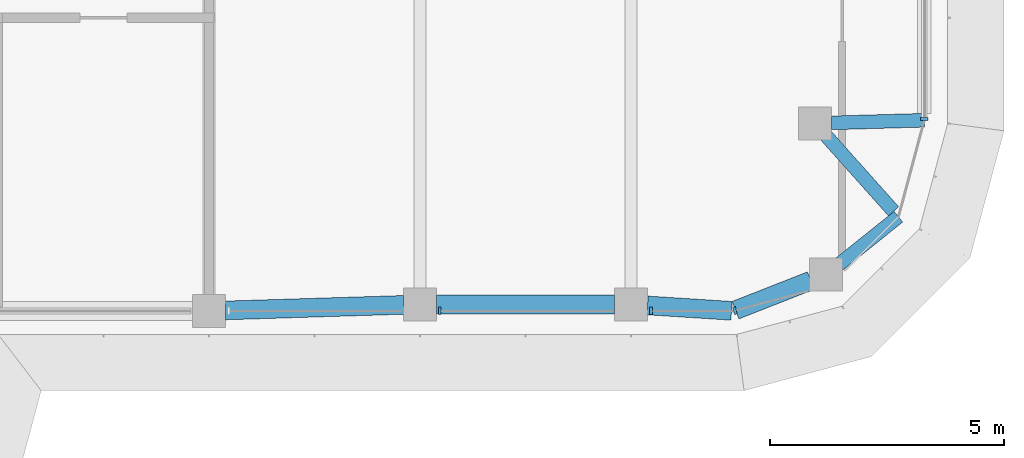
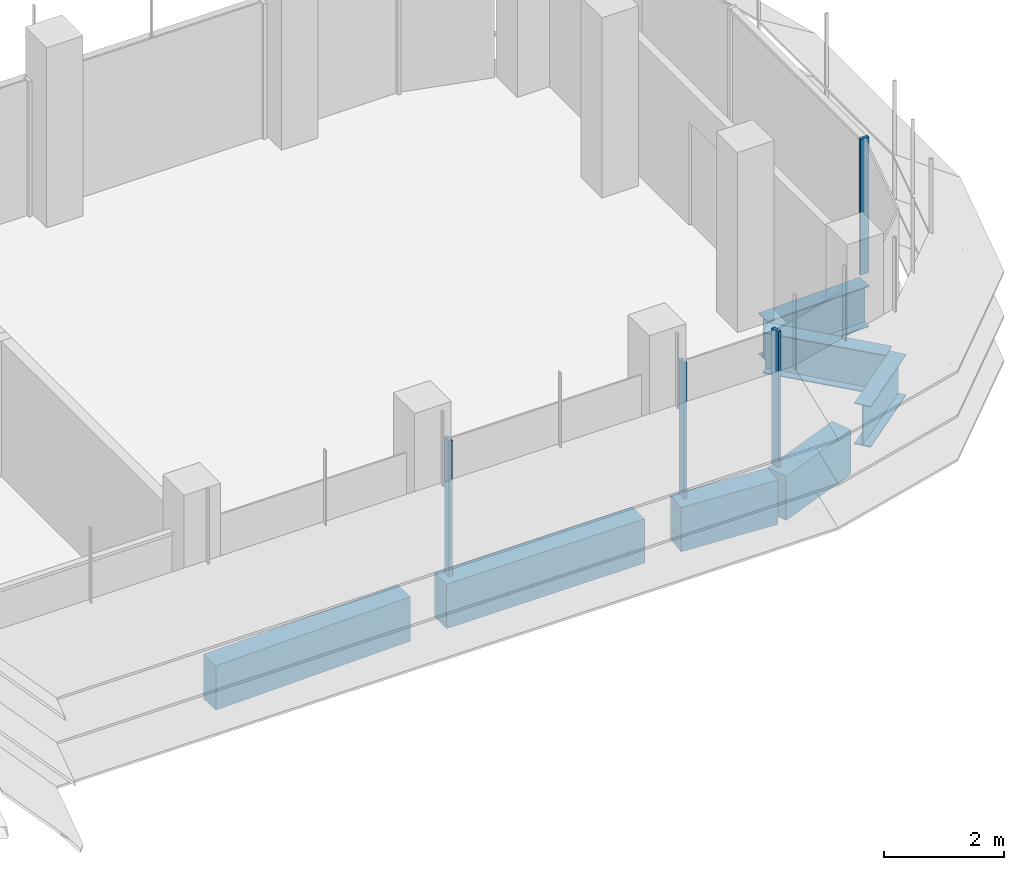
# One storey, part 5 of 18: 7 beams, 4 members, 3 elements without a shape of their own.
"""IFC4 building model written with IfcOpenShell, lengths in metres."""

import ifcopenshell
import ifcopenshell.guid

model = None  # the IFC model being written
_history = None  # IfcOwnerHistory: only IFC2X3 demands one
_inside = {}  # id of a spatial element -> (the spatial element, [elements in it])
_under = {}  # id of a project, library or spatial element -> (it, [spatial elements below it])
_declared = {}  # id of a project -> (the project, [libraries it declares])
_typed = {}  # id of a type object -> (the type object, [elements of that type])
_made_of = {}  # id of a material, layer set ... -> (it, [elements and type objects made of it])


def new_model(schema):
    """Start an empty IFC model of exactly this schema.

    Asked for "IFC4X3", IfcOpenShell would pick the latest addendum, in which some entities
    have other attributes; the version numbers below select the first issue.
    IFC2X3 requires an IfcOwnerHistory on every rooted entity: one is made here for all.
    """
    global model, _history
    if schema == "IFC4X3":
        model = ifcopenshell.file(schema_version=(4, 3, 0, 0))
    else:
        model = ifcopenshell.file(schema=schema)
    _inside.clear()
    _under.clear()
    _declared.clear()
    _typed.clear()
    _made_of.clear()
    _history = None
    if model.schema == "IFC2X3":
        org = make("IfcOrganization", Name="unknown")
        user = make(
            "IfcPersonAndOrganization",
            ThePerson=make("IfcPerson", FamilyName="unknown"),
            TheOrganization=org,
        )
        app = make(
            "IfcApplication",
            ApplicationDeveloper=org,
            Version="unknown",
            ApplicationFullName="unknown",
            ApplicationIdentifier="unknown",
        )
        _history = make(
            "IfcOwnerHistory",
            OwningUser=user,
            OwningApplication=app,
            ChangeAction="ADDED",
            CreationDate=0,
        )
    return model


def make(cls, **values):
    """One entity of the class cls with the attributes given. An attribute that is None is left unset."""
    return model.create_entity(
        cls, **{name: value for name, value in values.items() if value is not None}
    )


def rooted(cls, **values):
    """An entity with a GlobalId (a new one), such as an element, a storey or a relation."""
    return make(cls, GlobalId=ifcopenshell.guid.new(), OwnerHistory=_history, **values)


def si_unit(unit_type, name, prefix=None):
    """IfcSIUnit, for example si_unit("LENGTHUNIT", "METRE", prefix="MILLI")."""
    return make("IfcSIUnit", UnitType=unit_type, Prefix=prefix, Name=name)


def assignment(units):
    """IfcUnitAssignment: the units of a project."""
    return None if units is None else make("IfcUnitAssignment", Units=units)


def point(xyz):
    """IfcCartesianPoint."""
    return None if xyz is None else make("IfcCartesianPoint", Coordinates=xyz)


def direction(xyz):
    """IfcDirection."""
    return None if xyz is None else make("IfcDirection", DirectionRatios=xyz)


def frame(location, z_axis=None, x_axis=None):
    """IfcAxis2Placement3D, a coordinate frame: its origin and axes. An axis left out is left unset."""
    return make(
        "IfcAxis2Placement3D",
        Location=point(location),
        Axis=direction(z_axis),
        RefDirection=direction(x_axis),
    )


def frame_2d(location, x_axis=None):
    """IfcAxis2Placement2D, a coordinate frame in the plane: its origin and x axis."""
    return make(
        "IfcAxis2Placement2D", Location=point(location), RefDirection=direction(x_axis)
    )


def origin():
    """The frame at (0, 0, 0) with its axes left unset."""
    return frame((0.0, 0.0, 0.0))


def origin_2d():
    """The frame at (0, 0) in the plane with its x axis left unset."""
    return frame_2d((0.0, 0.0))


def place(relative_to, where):
    """IfcLocalPlacement: puts the frame where relative to a parent placement (None: the world)."""
    return make(
        "IfcLocalPlacement", PlacementRelTo=relative_to, RelativePlacement=where
    )


def context(
    kind, dimensions, precision=None, world=None, true_north=None, identifier=None
):
    """IfcGeometricRepresentationContext, for example the 3D "Model" context."""
    return make(
        "IfcGeometricRepresentationContext",
        ContextIdentifier=identifier,
        ContextType=kind,
        CoordinateSpaceDimension=dimensions,
        Precision=precision,
        WorldCoordinateSystem=world,
        TrueNorth=true_north,
    )


def subcontext(parent, identifier, kind, view, scale=None):
    """IfcGeometricRepresentationSubContext, for example "Body" below "Model"."""
    return make(
        "IfcGeometricRepresentationSubContext",
        ContextIdentifier=identifier,
        ContextType=kind,
        ParentContext=parent,
        TargetScale=scale,
        TargetView=view,
    )


def project(units=None, contexts=None):
    """IfcProject with its units and contexts."""
    return rooted(
        "IfcProject",
        Name="project",
        RepresentationContexts=contexts,
        UnitsInContext=assignment(units),
    )


def spatial(cls, under=None, at=None, **own):
    """A site, building, storey or space (cls), placed at a placement, below another one or the project."""
    s = rooted(cls, ObjectPlacement=at, **own)
    if under is not None:
        _under.setdefault(under.id(), (under, []))[1].append(s)
    return s


def polyline(points):
    """IfcPolyline through the points."""
    return make("IfcPolyline", Points=[point(p) for p in points])


def profile(cls, at=None, kind="AREA", **sizes):
    """A parametric profile (cls). Its sizes go by their IFC names, for example OverallWidth=200.0."""
    return make(cls, ProfileType=kind, Position=at, **sizes)


def rectangle(**sizes):
    """IfcRectangleProfileDef."""
    return profile("IfcRectangleProfileDef", **sizes)


def i_section(**sizes):
    """IfcIShapeProfileDef."""
    return profile("IfcIShapeProfileDef", **sizes)


def outline(outer, holes=None, kind="AREA"):
    """IfcArbitraryClosedProfileDef: a profile drawn as a closed curve; with holes, ...WithVoids."""
    if holes is None:
        return make("IfcArbitraryClosedProfileDef", ProfileType=kind, OuterCurve=outer)
    return make(
        "IfcArbitraryProfileDefWithVoids",
        ProfileType=kind,
        OuterCurve=outer,
        InnerCurves=holes,
    )


def extrude(swept, where, along, depth):
    """IfcExtrudedAreaSolid: the profile swept, set in the frame where, extruded along a direction by depth."""
    return make(
        "IfcExtrudedAreaSolid",
        SweptArea=swept,
        Position=where,
        ExtrudedDirection=direction(along),
        Depth=depth,
    )


def shape(context_of_items, identifier, shape_type, items):
    """IfcShapeRepresentation: the items that make up one representation, for example the "Body"."""
    return make(
        "IfcShapeRepresentation",
        ContextOfItems=context_of_items,
        RepresentationIdentifier=identifier,
        RepresentationType=shape_type,
        Items=items,
    )


def source(mapping_origin, context_of_items, identifier, shape_type, items):
    """IfcRepresentationMap: a shape defined once, which mapped items show again and again."""
    return make(
        "IfcRepresentationMap",
        MappingOrigin=mapping_origin,
        MappedRepresentation=shape(context_of_items, identifier, shape_type, items),
    )


def transform(
    local_origin,
    x_axis=None,
    y_axis=None,
    z_axis=None,
    scale=None,
    scale2=None,
    scale3=None,
    uniform=True,
):
    """IfcCartesianTransformationOperator3D, or its non-uniform kind. x_axis, y_axis, z_axis: its Axis1, 2, 3."""
    if uniform:
        return make(
            "IfcCartesianTransformationOperator3D",
            Axis1=direction(x_axis),
            Axis2=direction(y_axis),
            LocalOrigin=point(local_origin),
            Scale=scale,
            Axis3=direction(z_axis),
        )
    return make(
        "IfcCartesianTransformationOperator3DnonUniform",
        Axis1=direction(x_axis),
        Axis2=direction(y_axis),
        LocalOrigin=point(local_origin),
        Scale=scale,
        Axis3=direction(z_axis),
        Scale2=scale2,
        Scale3=scale3,
    )


def mapped(mapping_source, mapping_target):
    """IfcMappedItem: shows the shape of a source again, moved by a transform."""
    return make(
        "IfcMappedItem", MappingSource=mapping_source, MappingTarget=mapping_target
    )


def material(Name=None, Category=None):
    """IfcMaterial."""
    return make("IfcMaterial", Name=Name, Category=Category)


def material_profile(
    of_material, cross_section, Name=None, Category=None, Priority=None
):
    """IfcMaterialProfile: a cross section and its material."""
    return make(
        "IfcMaterialProfile",
        Name=Name,
        Material=of_material,
        Profile=cross_section,
        Priority=Priority,
        Category=Category,
    )


def profile_set(profiles, Name=None, composite=None):
    """IfcMaterialProfileSet."""
    return make(
        "IfcMaterialProfileSet",
        Name=Name,
        MaterialProfiles=profiles,
        CompositeProfile=composite,
    )


def made_of(thing, what):
    """Note that an element or type object is made of a material, layer set ...; save() writes the relation."""
    if what is not None:
        _made_of.setdefault(what.id(), (what, []))[1].append(thing)
    return thing


def type_object(cls, material=None, **own):
    """A type object (cls), such as IfcWallType, which elements share."""
    return made_of(rooted(cls, **own), material)


def element(
    cls,
    number,
    at=None,
    inside=None,
    cuts=None,
    type_object=None,
    material=None,
    context=None,
    identifier="Body",
    shape_type=None,
    held_by="IfcProductDefinitionShape",
    body=None,
    shapes=None,
    **own,
):
    """One element of the class cls, such as IfcWall. Its Tag is "e" and its number.

    at: its placement. inside: the storey or other place that contains it. cuts: it is an
    opening in that element (IfcRelVoidsElement). A single representation is given by context,
    identifier, shape_type and body (its items); several are given by shapes. held_by: the class
    of the entity that holds the representations. save() writes the other relations.
    """
    e = rooted(cls, Tag="e%d" % number, ObjectPlacement=at, **own)
    if body is not None:
        shapes = [shape(context, identifier, shape_type, body)]
    if shapes is not None:
        e.Representation = make(held_by, Representations=shapes)
    if inside is not None:
        _inside.setdefault(inside.id(), (inside, []))[1].append(e)
    if cuts is not None:
        rooted(
            "IfcRelVoidsElement", RelatingBuildingElement=cuts, RelatedOpeningElement=e
        )
    if type_object is not None:
        _typed.setdefault(type_object.id(), (type_object, []))[1].append(e)
    return made_of(e, material)


def aggregate(whole, parts):
    """IfcRelAggregates: a whole, such as a stair, and the parts it consists of."""
    return rooted("IfcRelAggregates", RelatingObject=whole, RelatedObjects=parts)


def save(model, path):
    """Write the relations noted so far, then the file.

    IfcRelAggregates (storeys below a building ...), IfcRelContainedInSpatialStructure (elements
    in a storey), IfcRelDefinesByType, IfcRelAssociatesMaterial and IfcRelDeclares: one each for
    every whole, place, type object, material and project.
    """
    for whole, parts in _under.values():
        aggregate(whole, parts)
    for where, things in _inside.values():
        rooted(
            "IfcRelContainedInSpatialStructure",
            RelatedElements=things,
            RelatingStructure=where,
        )
    for kind, things in _typed.values():
        rooted("IfcRelDefinesByType", RelatedObjects=things, RelatingType=kind)
    for what, things in _made_of.values():
        rooted("IfcRelAssociatesMaterial", RelatedObjects=things, RelatingMaterial=what)
    for by, libraries in _declared.values():
        rooted("IfcRelDeclares", RelatingContext=by, RelatedDefinitions=libraries)
    model.write(path)


model = new_model("IFC4")

# Units and contexts
model_context = context("Model", 3, precision=1e-05, world=origin(), true_north=direction((0.0, 1.0)))
body_context = subcontext(model_context, "Body", "Model", "MODEL_VIEW")
ifc_project = project(units=[si_unit("LENGTHUNIT", "METRE"), si_unit("AREAUNIT", "SQUARE_METRE"), si_unit("VOLUMEUNIT", "CUBIC_METRE"), si_unit("PLANEANGLEUNIT", "RADIAN"), si_unit("MASSUNIT", "GRAM", prefix="KILO")], contexts=[model_context])

# Site, building, storey
site_placement = place(None, origin())
site = spatial("IfcSite", under=ifc_project, at=site_placement, CompositionType="ELEMENT")
building_placement = place(site_placement, origin())
building = spatial("IfcBuilding", under=site, at=building_placement, Name="Zarbagh Exchange Tower", CompositionType="ELEMENT")
storey_placement = place(building_placement, frame((0.0, 0.0, 214.39990234375)))
storey = spatial("IfcBuildingStorey", under=building, at=storey_placement, Name="L52", CompositionType="ELEMENT", Elevation=214.39990234375)

# Beams
ifc_material_1 = material(Name="Steel ASTM A992 Gr 50", Category="steel")
ifc_material_profile_1 = material_profile(ifc_material_1, i_section(OverallWidth=0.2919921875, OverallDepth=0.835693359375, WebThickness=0.013916015625, FlangeThickness=0.018798828125, at=origin_2d()), Name="W33X118")
ifc_profile_set_1 = profile_set([ifc_material_profile_1], Name="Steel ASTM A992 Gr 50")
beam_type_1 = type_object("IfcBeamType", Name="Floor girder W33X118", PredefinedType="BEAM", material=ifc_profile_set_1)
beam_1_placement = place(storey_placement, frame((31.0, -2.18408203125, -0.567626953125), z_axis=(-0.999601581355, -0.028225494714, 0.0), x_axis=(0.028225494714, -0.999601581355, 0.0)))
element("IfcBeam", 1, at=beam_1_placement, inside=storey, type_object=beam_type_1, Name="Steel girder", PredefinedType="BEAM", context=body_context, shape_type="SweptSolid", body=[
    extrude(i_section(OverallWidth=0.2919921875, OverallDepth=0.835693359375, WebThickness=0.013916015625, FlangeThickness=0.018798828125, at=origin_2d()), origin(), (0.0, 0.0, 1.0), 1.980712890625),
])
beam_2_placement = place(storey_placement, frame((28.9033203125, -2.510986328125, -0.567626953125), z_axis=(0.666194955403, -0.745777635355, 0.0), x_axis=(0.745777635355, 0.666194955403, 0.0)))
element("IfcBeam", 2, at=beam_2_placement, inside=storey, type_object=beam_type_1, Name="Steel girder", PredefinedType="BEAM", context=body_context, shape_type="SweptSolid", body=[
    extrude(i_section(OverallWidth=0.2919921875, OverallDepth=0.835693359375, WebThickness=0.013916015625, FlangeThickness=0.018798828125, at=origin_2d()), origin(), (0.0, 0.0, 1.0), 2.165771484375),
])
beam_3_placement = place(storey_placement, frame((30.44873046875, -4.2412109375, -0.567626953125), z_axis=(-0.780619385558, -0.625006699877, 0.0), x_axis=(0.625006699877, -0.780619385558, 0.0)))
element("IfcBeam", 3, at=beam_3_placement, inside=storey, type_object=beam_type_1, Name="Steel girder", PredefinedType="BEAM", context=body_context, shape_type="SweptSolid", body=[
    extrude(i_section(OverallWidth=0.2919921875, OverallDepth=0.835693359375, WebThickness=0.013916015625, FlangeThickness=0.018798828125, at=origin_2d()), origin(), (0.0, 0.0, 1.0), 1.623779296875),
])
ifc_material_2 = material(Name="Concrete C50/60", Category="concrete")
ifc_material_profile_2 = material_profile(ifc_material_2, rectangle(XDim=0.39990234375, YDim=0.89990234375, at=origin_2d()), Name="RC spandrel beam 400 x 900 C50/60")
ifc_profile_set_2 = profile_set([ifc_material_profile_2], Name="Concrete C50/60")
beam_type_2 = type_object("IfcBeamType", Name="RC spandrel beam 400 x 900 C50/60", PredefinedType="SPANDREL", material=ifc_profile_set_2)
beam_4_placement = place(storey_placement, frame((28.582275390625, -5.602783203125, -0.599853515625), z_axis=(-0.930818525178, -0.365481700207, 0.0), x_axis=(0.365481700207, -0.930818525178, 0.0)))
element("IfcBeam", 4, at=beam_4_placement, inside=storey, type_object=beam_type_2, Name="RC spandrel beam", PredefinedType="SPANDREL", context=body_context, shape_type="SweptSolid", body=[
    extrude(rectangle(XDim=0.39990234375, YDim=0.89990234375, at=origin_2d()), origin(), (0.0, 0.0, 1.0), 1.72607421875),
])
beam_5_placement = place(storey_placement, frame((26.8896484375, -6.247314453125, -0.599853515625), z_axis=(-0.997943601797, 0.064098109429, 0.0), x_axis=(-0.064098109429, -0.997943601797, 0.0)))
element("IfcBeam", 5, at=beam_5_placement, inside=storey, type_object=beam_type_2, Name="RC spandrel beam", PredefinedType="SPANDREL", context=body_context, shape_type="SweptSolid", body=[
    extrude(rectangle(XDim=0.39990234375, YDim=0.89990234375, at=origin_2d()), origin(), (0.0, 0.0, 1.0), 1.7939453125),
])
beam_6_placement = place(storey_placement, frame((24.39990234375, -6.110107421875, -0.599853515625), z_axis=(-1.0, 0.0, 0.0), x_axis=(0.0, -1.0, 0.0)))
element("IfcBeam", 6, at=beam_6_placement, inside=storey, type_object=beam_type_2, Name="RC spandrel beam", PredefinedType="SPANDREL", context=body_context, shape_type="SweptSolid", body=[
    extrude(rectangle(XDim=0.39990234375, YDim=0.89990234375, at=origin_2d()), origin(), (0.0, 0.0, 1.0), 3.7998046875),
])
beam_7_placement = place(storey_placement, frame((19.900146484375, -6.120849609375, -0.599853515625), z_axis=(-0.999516950199, -0.031078389046, 0.0), x_axis=(0.031078389046, -0.999516950199, 0.0)))
element("IfcBeam", 7, at=beam_7_placement, inside=storey, type_object=beam_type_2, Name="RC spandrel beam", PredefinedType="SPANDREL", context=body_context, shape_type="SweptSolid", body=[
    extrude(rectangle(XDim=0.39990234375, YDim=0.89990234375, at=origin_2d()), origin(), (0.0, 0.0, 1.0), 3.80224609375),
])

# Curtain wall, members
ifc_material_3 = material(Name="Anodised aluminium frame and glazing", Category="aluminium")
curtain_wall_type = type_object("IfcCurtainWallType", Name="CWB Ribbon glazing, upper zones", PredefinedType="NOTDEFINED", material=ifc_material_3)
curtain_wall_1_placement = place(storey_placement, origin())
curtain_wall_1 = element("IfcCurtainWall", 8, at=curtain_wall_1_placement, inside=storey, type_object=curtain_wall_type, Name="CWB08 curtain wall", PredefinedType="NOTDEFINED")
ifc_material_4 = material(Name="Anodised aluminium frame", Category="aluminium")
member_type = type_object("IfcMemberType", Name="MUB Mullion, anodised aluminium frame", PredefinedType="MULLION", material=ifc_material_4)
shared_shape = source(origin(), body_context, "Body", "SweptSolid", [
    extrude(outline(polyline([(0.0, -0.080078125), (0.06005859375, -0.080078125), (0.06005859375, 0.080078125), (0.0, 0.080078125), (0.0, -0.080078125)])), origin(), (0.0, 0.0, 1.0), 2.75),
])
placement = place(storey_placement, origin())
member_1 = element("IfcMember", 9, at=placement, type_object=member_type, Name="CWB08 mullion 3.1", PredefinedType="MULLION", context=body_context, shape_type="MappedRepresentation", body=[
    mapped(shared_shape, transform((20.64013671875, -6.25, 0.0), x_axis=(1.0, 0.0, 0.0), y_axis=(0.0, 1.0, 0.0), z_axis=(0.0, 0.0, 1.0))),
])
member_2 = element("IfcMember", 10, at=placement, type_object=member_type, Name="CWB08 mullion 4.1", PredefinedType="MULLION", context=body_context, shape_type="MappedRepresentation", body=[
    mapped(shared_shape, transform((25.14013671875, -6.25, 0.0), x_axis=(1.0, 0.0, 0.0), y_axis=(0.0, 1.0, 0.0), z_axis=(0.0, 0.0, 1.0))),
])
aggregate(curtain_wall_1, [member_1, member_2])

# Curtain wall, member
curtain_wall_2_placement = place(storey_placement, origin())
curtain_wall_2 = element("IfcCurtainWall", 11, at=curtain_wall_2_placement, inside=storey, type_object=curtain_wall_type, Name="CWB09 curtain wall", PredefinedType="NOTDEFINED")
member_3 = element("IfcMember", 12, at=placement, type_object=member_type, Name="CWB09 mullion 1.1", PredefinedType="MULLION", context=body_context, shape_type="MappedRepresentation", body=[
    mapped(shared_shape, transform((26.93408203125, -6.25, 0.0), x_axis=(0.965924289636, 0.258824779902, 0.0), y_axis=(-0.258824779902, 0.965924289636, 0.0), z_axis=(0.0, 0.0, 1.0))),
])
aggregate(curtain_wall_2, [member_3])

curtain_wall_3_placement = place(storey_placement, origin())
curtain_wall_3 = element("IfcCurtainWall", 13, at=curtain_wall_3_placement, inside=storey, type_object=curtain_wall_type, Name="CWB12 curtain wall", PredefinedType="NOTDEFINED")
member_4 = element("IfcMember", 14, at=placement, type_object=member_type, Name="CWB12 mullion 1.1", PredefinedType="MULLION", context=body_context, shape_type="MappedRepresentation", body=[
    mapped(shared_shape, transform((31.0, -2.18408203125, 0.0), x_axis=(0.0, 1.0, 0.0), y_axis=(-1.0, 0.0, 0.0), z_axis=(0.0, 0.0, 1.0))),
])
aggregate(curtain_wall_3, [member_4])

save(model, "model.ifc")
